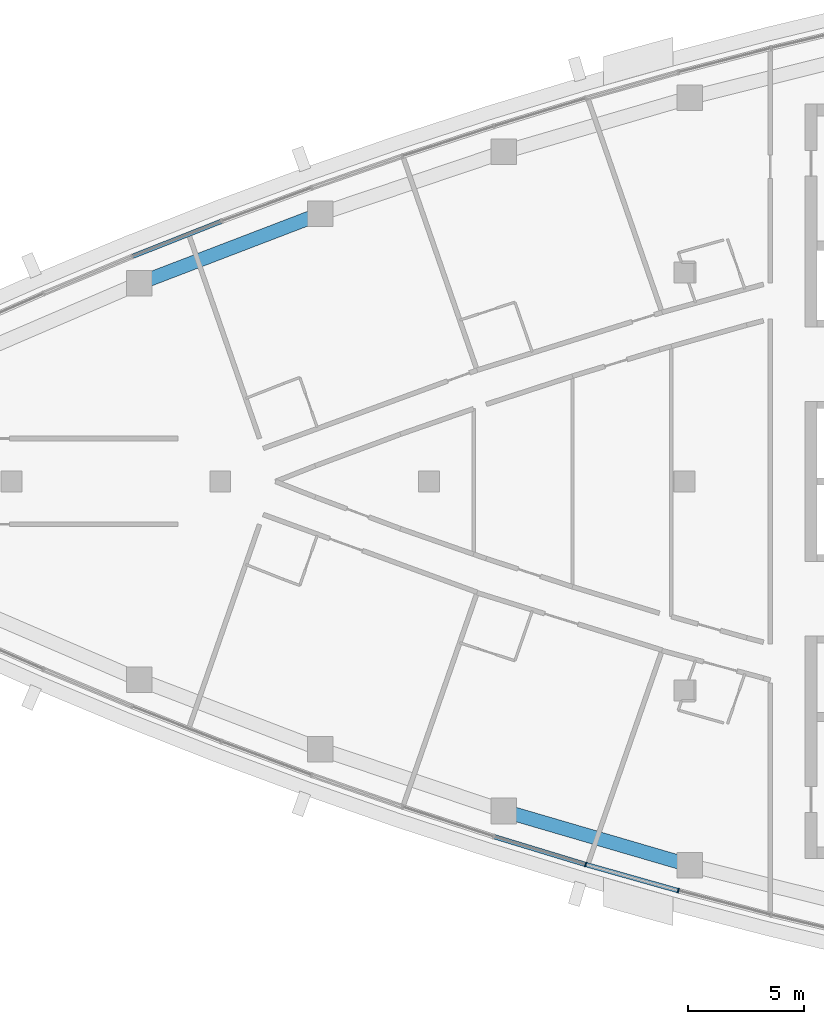
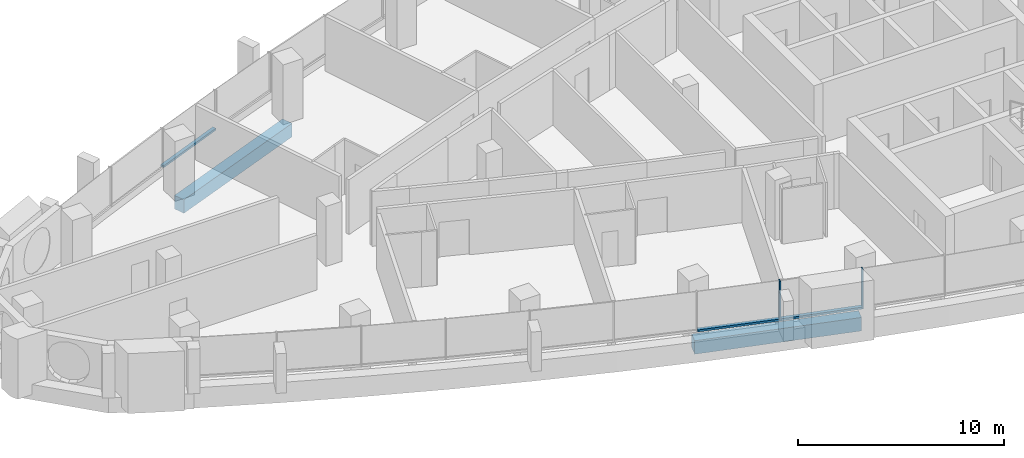
# One storey, part 3 of 15: 5 members, 2 beams, 2 elements without a shape of their own.
"""IFC4 building model written with IfcOpenShell, lengths in metres."""

from ifc_helpers import new_model, si_unit, direction, frame, origin, origin_2d, place, context, subcontext, project, spatial, rectangle, extrude, material, layer, layer_set, material_profile, profile_set, type_object, element, aggregate, save


model = new_model("IFC4")

# Units and contexts
model_context = context("Model", 3, precision=1e-05, world=origin(), true_north=direction((0.0, 1.0)))
body_context = subcontext(model_context, "Body", "Model", "MODEL_VIEW")
ifc_project = project(units=[si_unit("LENGTHUNIT", "METRE"), si_unit("AREAUNIT", "SQUARE_METRE"), si_unit("VOLUMEUNIT", "CUBIC_METRE"), si_unit("PLANEANGLEUNIT", "RADIAN"), si_unit("MASSUNIT", "GRAM", prefix="KILO")], contexts=[model_context])

# Site, building, storey
site_placement = place(None, origin())
site = spatial("IfcSite", under=ifc_project, at=site_placement, CompositionType="ELEMENT")
building_placement = place(site_placement, origin())
building = spatial("IfcBuilding", under=site, at=building_placement, Name="Ostrand Prow Hotel Tower", CompositionType="ELEMENT")
storey_placement = place(building_placement, frame((0.0, 0.0, 292.75)))
storey = spatial("IfcBuildingStorey", under=building, at=storey_placement, Name="L74", CompositionType="ELEMENT", Elevation=292.75)

# Beams
ifc_material_1 = material(Name="Concrete C50/60", Category="concrete")
ifc_material_profile_1 = material_profile(ifc_material_1, rectangle(XDim=0.60009765625, YDim=0.800048828125, at=origin_2d()), Name="RC 600x800")
ifc_profile_set_1 = profile_set([ifc_material_profile_1], Name="Concrete C50/60")
beam_type = type_object("IfcBeamType", Name="Edge beam 600x800 C50/60", PredefinedType="SPANDREL", material=ifc_profile_set_1)
for number, where, z_axis, x_axis, name in (
    (1, (37.22119140625, -14.19580078125, -0.699951171875), (0.959821966031, -0.280609681809, 0.0), (0.280609681809, 0.959821966031, 0.0), "Edge beam S4-S5"),
    (2, (29.31005859375, 11.528076171875, -0.699951171875), (-0.933761753797, -0.357895218111, 0.0), (0.357895218111, -0.933761753797, 0.0), "Edge beam N4-N5"),
):
    element("IfcBeam", number, at=place(storey_placement, frame(where, z_axis=z_axis, x_axis=x_axis)), inside=storey, type_object=beam_type, Name=name, PredefinedType="SPANDREL", context=body_context, shape_type="SweptSolid", body=[
        extrude(rectangle(XDim=0.60009765625, YDim=0.800048828125, at=origin_2d()), origin(), (0.0, 0.0, 1.0), 8.348876953125),
    ])

# Curtain wall, members
ifc_material_2 = material(Name="Insulated glass in bronze anodised frame", Category="glass")
ifc_layer = layer(ifc_material_2, 0.199951171875)
ifc_layer_set = layer_set([ifc_layer], Name="Insulated glass in bronze anodised frame")
curtain_wall_type = type_object("IfcCurtainWallType", Name="Strip curtain wall, fritted glass over bronze spandrel", PredefinedType="NOTDEFINED", material=ifc_layer_set)
curtain_wall_1_placement = place(storey_placement, origin())
curtain_wall_1 = element("IfcCurtainWall", 3, at=curtain_wall_1_placement, inside=storey, type_object=curtain_wall_type, Name="CW1 run CWS4", PredefinedType="NOTDEFINED")
ifc_material_3 = material(Name="Bronze anodised aluminium", Category="aluminium")
ifc_material_profile_2 = material_profile(ifc_material_3, rectangle(XDim=0.199951171875, YDim=0.06005859375, at=origin_2d()), Name="Mullion 60x200 bronze anodised aluminium")
ifc_profile_set_2 = profile_set([ifc_material_profile_2], Name="Bronze anodised aluminium")
member_type_1 = type_object("IfcMemberType", Name="Mullion 60x200 bronze anodised aluminium", PredefinedType="MULLION", material=ifc_profile_set_2)
member_1_placement = place(storey_placement, frame((40.744384765625, -16.502197265625, 0.89990234375), z_axis=(0.0, 0.0, 1.0), x_axis=(0.271648738865, 0.962396468548, 0.0)))
member_1 = element("IfcMember", 4, at=member_1_placement, type_object=member_type_1, Name="CW1 mullion 2", PredefinedType="MULLION", context=body_context, shape_type="SweptSolid", body=[
    extrude(rectangle(XDim=0.199951171875, YDim=0.06005859375, at=origin_2d()), origin(), (0.0, 0.0, 1.0), 2.35009765625),
])
member_2_placement = place(storey_placement, frame((44.728515625, -17.626708984375, 0.89990234375), z_axis=(0.0, 0.0, 1.0), x_axis=(0.271648738865, 0.962396468548, 0.0)))
member_2 = element("IfcMember", 5, at=member_2_placement, type_object=member_type_1, Name="CW1 mullion 3", PredefinedType="MULLION", context=body_context, shape_type="SweptSolid", body=[
    extrude(rectangle(XDim=0.199951171875, YDim=0.06005859375, at=origin_2d()), origin(), (0.0, 0.0, 1.0), 2.35009765625),
])
ifc_material_4 = material(Name="Bronze anodised aluminium", Category="aluminium")
ifc_material_profile_3 = material_profile(ifc_material_4, rectangle(XDim=0.199951171875, YDim=0.1201171875, at=origin_2d()), Name="Transom 120x200 bronze anodised aluminium")
ifc_profile_set_3 = profile_set([ifc_material_profile_3], Name="Bronze anodised aluminium")
member_type_2 = type_object("IfcMemberType", Name="Transom 120x200 bronze anodised aluminium", PredefinedType="USERDEFINED", material=ifc_profile_set_3)
member_3_placement = place(storey_placement, frame((36.8125, -15.306396484375, 0.9599609375), z_axis=(0.956739081124, -0.290947298751, 0.0), x_axis=(0.290947298751, 0.956739081124, 0.0)))
member_3 = element("IfcMember", 6, at=member_3_placement, type_object=member_type_2, Name="CW1 transom 1.1", ObjectType="TRANSOM", PredefinedType="USERDEFINED", context=body_context, shape_type="SweptSolid", body=[
    extrude(rectangle(XDim=0.199951171875, YDim=0.1201171875, at=origin_2d()), origin(), (0.0, 0.0, 1.0), 4.079833984375),
])
member_4_placement = place(storey_placement, frame((40.7734375, -16.51025390625, 0.9599609375), z_axis=(0.962386308628, -0.271684730828, 0.0), x_axis=(0.271684730828, 0.962386308628, 0.0)))
member_4 = element("IfcMember", 7, at=member_4_placement, type_object=member_type_2, Name="CW1 transom 2.1", ObjectType="TRANSOM", PredefinedType="USERDEFINED", context=body_context, shape_type="SweptSolid", body=[
    extrude(rectangle(XDim=0.199951171875, YDim=0.1201171875, at=origin_2d()), origin(), (0.0, 0.0, 1.0), 4.079833984375),
])
aggregate(curtain_wall_1, [member_1, member_2, member_3, member_4])

# Curtain wall, member
curtain_wall_2_placement = place(storey_placement, origin())
curtain_wall_2 = element("IfcCurtainWall", 8, at=curtain_wall_2_placement, inside=storey, type_object=curtain_wall_type, Name="CW1 run CWN4", PredefinedType="NOTDEFINED")
member_5_placement = place(storey_placement, frame((25.0302734375, 11.19921875, 0.9599609375), z_axis=(-0.930289613186, -0.366825892759, 0.0), x_axis=(0.366825892759, -0.930289613186, 0.0)))
member_5 = element("IfcMember", 9, at=member_5_placement, type_object=member_type_2, Name="CW1 transom 2.1", ObjectType="TRANSOM", PredefinedType="USERDEFINED", context=body_context, shape_type="SweptSolid", body=[
    extrude(rectangle(XDim=0.199951171875, YDim=0.1201171875, at=origin_2d()), origin(), (0.0, 0.0, 1.0), 4.079833984375),
])
aggregate(curtain_wall_2, [member_5])

save(model, "model.ifc")
